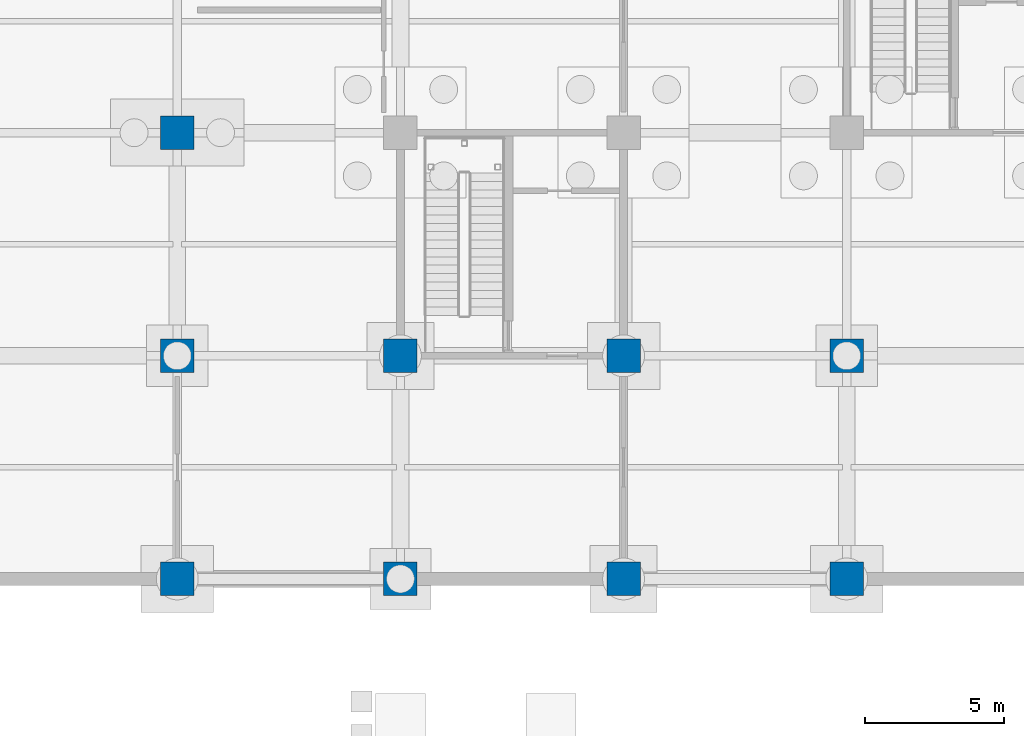
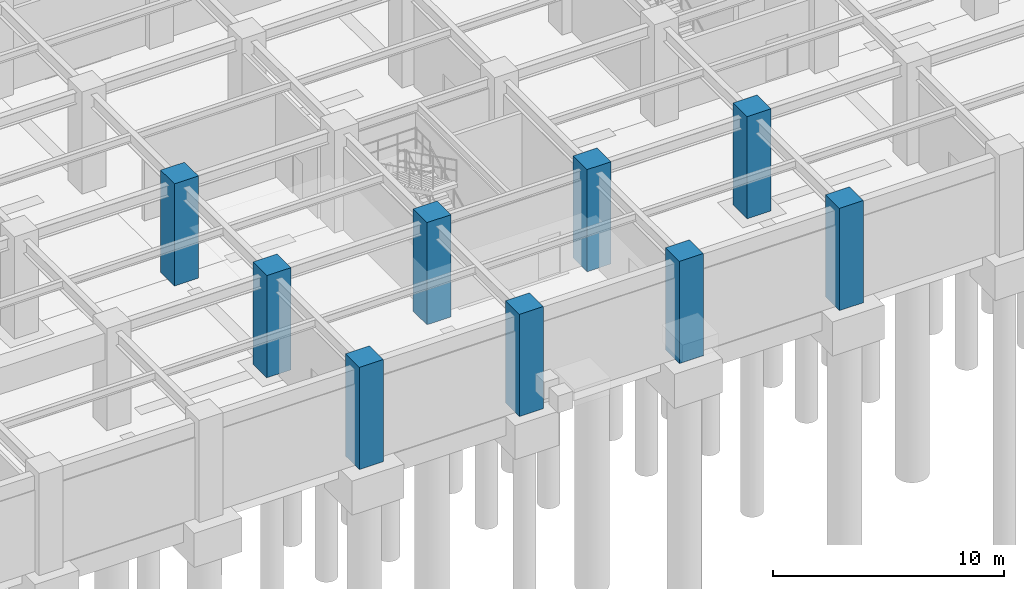
# One storey, part 23 of 97: 9 columns.
"""IFC4 building model written with IfcOpenShell, lengths in metres."""

from ifc_helpers import new_model, si_unit, direction, frame, origin, origin_2d, place, context, subcontext, project, spatial, rectangle, extrude, material, material_profile, profile_set, type_object, element, save


model = new_model("IFC4")

# Units and contexts
model_context = context("Model", 3, precision=1e-05, world=origin(), true_north=direction((0.0, 1.0)))
body_context = subcontext(model_context, "Body", "Model", "MODEL_VIEW")
ifc_project = project(units=[si_unit("LENGTHUNIT", "METRE"), si_unit("AREAUNIT", "SQUARE_METRE"), si_unit("VOLUMEUNIT", "CUBIC_METRE"), si_unit("PLANEANGLEUNIT", "RADIAN"), si_unit("MASSUNIT", "GRAM", prefix="KILO")], contexts=[model_context])

# Site, building, storey
site_placement = place(None, origin())
site = spatial("IfcSite", under=ifc_project, at=site_placement, CompositionType="ELEMENT")
building_placement = place(site_placement, origin())
building = spatial("IfcBuilding", under=site, at=building_placement, Name="Haebicheon Civic Stadium", CompositionType="ELEMENT")
storey_placement = place(building_placement, frame((0.0, 0.0, -5.39990234375)))
storey = spatial("IfcBuildingStorey", under=building, at=storey_placement, Name="B1", CompositionType="ELEMENT", Elevation=-5.39990234375)

# Columns
ifc_material = material(Name="Concrete C40/50", Category="concrete")
ifc_material_profile = material_profile(ifc_material, rectangle(XDim=1.199951171875, YDim=1.199951171875, at=origin_2d()), Name="RC-COL-1200x1200")
ifc_profile_set = profile_set([ifc_material_profile], Name="Concrete C40/50")
column_type = type_object("IfcColumnType", Name="COL-RC-1200", PredefinedType="COLUMN", material=ifc_profile_set)
for number, where, z_axis, x_axis, name in (
    (1, (64.0, 0.0, 0.0), (0.0, 0.0, 1.0), (1.0, 0.0, 0.0), "B1 column 9/A"),
    (2, (64.0, 8.0, 0.0), (0.0, 0.0, 1.0), (1.0, 0.0, 0.0), "B1 column 9/B"),
    (3, (64.0, 16.0, 0.0), (0.0, 0.0, 1.0), (1.0, 0.0, 0.0), "B1 column 9/C"),
    (4, (72.0, 0.0, 0.0), (0.0, 0.0, 1.0), (1.0, 0.0, 0.0), "B1 column 10/A"),
    (5, (72.0, 8.0, 0.0), (0.0, 0.0, 1.0), (1.0, 0.0, 0.0), "B1 column 10/B"),
    (6, (80.0, 0.0, 0.0), (0.0, 0.0, 1.0), (1.0, 0.0, 0.0), "B1 column 11/A"),
    (7, (80.0, 8.0, 0.0), (0.0, 0.0, 1.0), (1.0, 0.0, 0.0), "B1 column 11/B"),
    (8, (88.0, 0.0, 0.0), (0.0, 0.0, 1.0), (1.0, 0.0, 0.0), "B1 column 12/A"),
    (9, (88.0, 8.0, 0.0), (0.0, 0.0, 1.0), (1.0, 0.0, 0.0), "B1 column 12/B"),
):
    element("IfcColumn", number, at=place(storey_placement, frame(where, z_axis=z_axis, x_axis=x_axis)), inside=storey, type_object=column_type, material=ifc_profile_set, Name=name, PredefinedType="COLUMN", context=body_context, shape_type="SweptSolid", body=[
        extrude(rectangle(XDim=1.199951171875, YDim=1.199951171875, at=origin_2d()), origin(), (0.0, 0.0, 1.0), 5.39990234375),
    ])

save(model, "model.ifc")
